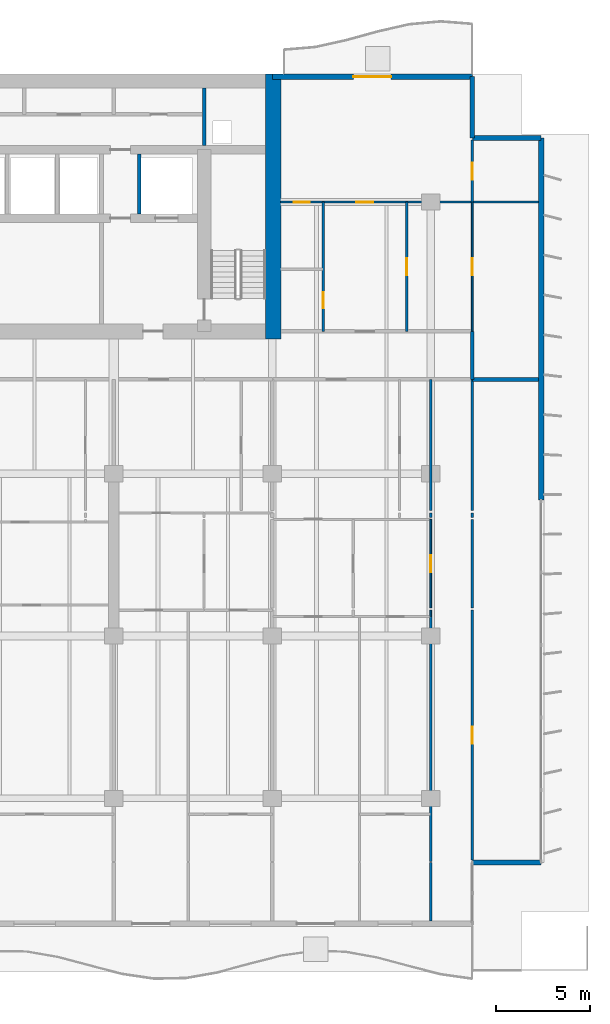
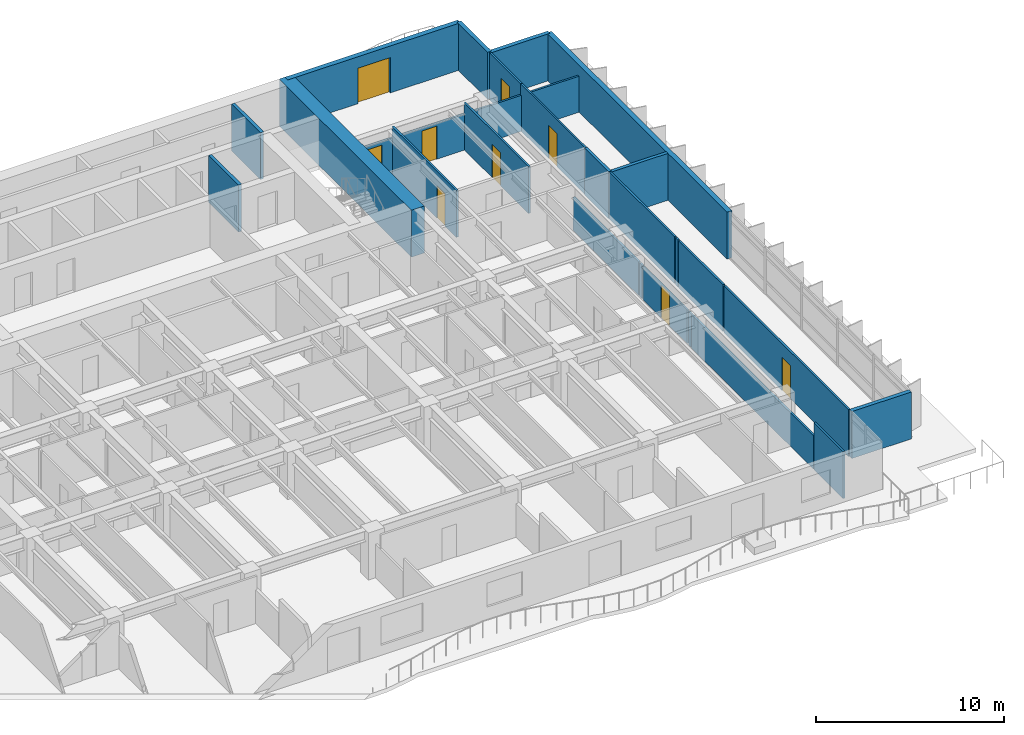
# One storey, part 12 of 17: 25 walls, 9 doors, 9 openings.
"""IFC4 building model written with IfcOpenShell, lengths in metres."""

from ifc_helpers import new_model, si_unit, direction, frame, frame_2d, origin, place, context, subcontext, project, spatial, rectangle, extrude, material, layer, layer_set, type_object, element, fill, save


model = new_model("IFC4")

# Units and contexts
model_context = context("Model", 3, precision=1e-05, world=origin(), true_north=direction((0.0, 1.0)))
body_context = subcontext(model_context, "Body", "Model", "MODEL_VIEW")
ifc_project = project(units=[si_unit("LENGTHUNIT", "METRE"), si_unit("AREAUNIT", "SQUARE_METRE"), si_unit("VOLUMEUNIT", "CUBIC_METRE"), si_unit("PLANEANGLEUNIT", "RADIAN"), si_unit("MASSUNIT", "GRAM", prefix="KILO")], contexts=[model_context])

# Site, building, storey
site_placement = place(None, origin())
site = spatial("IfcSite", under=ifc_project, at=site_placement, CompositionType="ELEMENT")
building_placement = place(site_placement, origin())
building = spatial("IfcBuilding", under=site, at=building_placement, Name="Caelmar Bay Residences", CompositionType="ELEMENT")
storey_placement = place(building_placement, frame((0.0, 0.0, 84.60009765625)))
storey = spatial("IfcBuildingStorey", under=building, at=storey_placement, Name="L22", CompositionType="ELEMENT", Elevation=84.60009765625)

# Walls
ifc_material_1 = material(Name="Concrete f'c 70 MPa (10,000 psi)", Category="concrete")
ifc_layer_1 = layer(ifc_material_1, 0.800048828125)
ifc_layer_set_1 = layer_set([ifc_layer_1], Name="Concrete f'c 70 MPa (10,000 psi)")
wall_type_1 = type_object("IfcWallType", Name="SW-COR-800", PredefinedType="SHEAR", material=ifc_layer_set_1)
wall_1_placement = place(storey_placement, frame((59.550048828125, 36.550048828125, 0.0), z_axis=(0.0, 0.0, 1.0), x_axis=(0.0, 1.0, 0.0)))
element("IfcWall", 1, at=wall_1_placement, inside=storey, type_object=wall_type_1, Name="L22 Rear Core East Shear Wall", PredefinedType="SHEAR", context=body_context, shape_type="SweptSolid", body=[
    extrude(rectangle(XDim=14.050048828125, YDim=0.800048828125, at=frame_2d((7.02490234375, 0.0))), origin(), (0.0, 0.0, 1.0), 3.0498046875),
])
ifc_material_2 = material(Name="Double-stud acoustic fire-rated gypsum partition 180 mm")
ifc_layer_2 = layer(ifc_material_2, 0.179931640625)
ifc_layer_set_2 = layer_set([ifc_layer_2], Name="Double-stud acoustic fire-rated gypsum partition 180 mm")
wall_type_2 = type_object("IfcWallType", Name="W-COR-200", PredefinedType="PARTITIONING", material=ifc_layer_set_2)
wall_2_placement = place(storey_placement, frame((70.10009765625, 34.405029296875, 0.0), z_axis=(0.0, 0.0, 1.0), x_axis=(0.0, 1.0, 0.0)))
element("IfcWall", 2, at=wall_2_placement, inside=storey, type_object=wall_type_2, Name="L22 Partition Wall V103", PredefinedType="PARTITIONING", context=body_context, shape_type="SweptSolid", body=[
    extrude(rectangle(XDim=2.544921875, YDim=0.179931640625, at=frame_2d((1.2724609375, 0.0))), origin(), (0.0, 0.0, 1.0), 3.0498046875),
])
ifc_material_3 = material(Name="Precast concrete f'c 40 MPa (6,000 psi)", Category="concrete")
ifc_layer_3 = layer(ifc_material_3, 0.25)
ifc_layer_set_3 = layer_set([ifc_layer_3], Name="Precast concrete f'c 40 MPa (6,000 psi)")
wall_type_3 = type_object("IfcWallType", Name="W-EXT-250", PredefinedType="ELEMENTEDWALL", material=ifc_layer_set_3)
wall_3_placement = place(storey_placement, frame((70.10009765625, 8.800048828125, 0.0), z_axis=(0.0, 0.0, 1.0), x_axis=(1.0, 0.0, 0.0)))
element("IfcWall", 3, at=wall_3_placement, inside=storey, type_object=wall_type_3, Name="L22 SE Notch Return Wall", PredefinedType="ELEMENTEDWALL", context=body_context, shape_type="SweptSolid", body=[
    extrude(rectangle(XDim=3.64990234375, YDim=0.25, at=frame_2d((1.824951171875, 0.0))), origin(), (0.0, 0.0, 1.0), 3.0498046875),
])
wall_4_placement = place(storey_placement, frame((70.10009765625, 50.449951171875, 0.0), z_axis=(0.0, 0.0, 1.0), x_axis=(0.0, -1.0, 0.0)))
element("IfcWall", 4, at=wall_4_placement, inside=storey, type_object=wall_type_3, Name="L22 NNE-V Notch Wall", PredefinedType="ELEMENTEDWALL", context=body_context, shape_type="SweptSolid", body=[
    extrude(rectangle(XDim=3.25, YDim=0.25, at=frame_2d((1.625, 0.0))), origin(), (0.0, 0.0, 1.0), 3.0498046875),
])
wall_5_placement = place(storey_placement, frame((70.10009765625, 47.199951171875, 0.0), z_axis=(0.0, 0.0, 1.0), x_axis=(1.0, 0.0, 0.0)))
element("IfcWall", 5, at=wall_5_placement, inside=storey, type_object=wall_type_3, Name="L22 NNE-H Notch Wall", PredefinedType="ELEMENTEDWALL", context=body_context, shape_type="SweptSolid", body=[
    extrude(rectangle(XDim=3.64990234375, YDim=0.25, at=frame_2d((1.824951171875, 0.0))), origin(), (0.0, 0.0, 1.0), 3.0498046875),
])
ifc_layer_4 = layer(ifc_material_3, 0.300048828125)
ifc_layer_set_4 = layer_set([ifc_layer_4], Name="Precast concrete f'c 40 MPa (6,000 psi)")
wall_type_4 = type_object("IfcWallType", Name="W-EXT-300", PredefinedType="STANDARD", material=ifc_layer_set_4)
wall_6_placement = place(storey_placement, frame((73.75, 47.199951171875, 0.0), z_axis=(0.0, 0.0, 1.0), x_axis=(0.0, -1.0, 0.0)))
element("IfcWall", 6, at=wall_6_placement, inside=storey, type_object=wall_type_4, Name="L22 East Rear Exterior Wall", PredefinedType="STANDARD", context=body_context, shape_type="SweptSolid", body=[
    extrude(rectangle(XDim=19.199951171875, YDim=0.300048828125, at=frame_2d((9.60009765625, 0.0))), origin(), (0.0, 0.0, 1.0), 3.0498046875),
])

# Wall, opening, door
wall_7_placement = place(storey_placement, frame((59.5, 50.449951171875, 0.0), z_axis=(0.0, 0.0, 1.0), x_axis=(1.0, 0.0, 0.0)))
wall_7 = element("IfcWall", 7, at=wall_7_placement, inside=storey, type_object=wall_type_4, Name="L22 North-East Wing Exterior Wall", PredefinedType="STANDARD", context=body_context, shape_type="SweptSolid", body=[
    extrude(rectangle(XDim=10.60009765625, YDim=0.300048828125, at=frame_2d((5.300048828125, 0.0))), origin(), (0.0, 0.0, 1.0), 3.0498046875),
])
opening_1_placement = place(wall_7_placement, frame((4.300048828125, 0.0, 0.0)))
opening_1 = element("IfcOpeningElement", 8, at=opening_1_placement, cuts=wall_7, Name="Opening L22-BDNE", PredefinedType="OPENING", context=body_context, shape_type="SweptSolid", body=[
    extrude(rectangle(XDim=2.0, YDim=2.300048828125, at=frame_2d((1.0, 1.14990234375))), frame((0.0, 0.159912109375, 0.0), z_axis=(0.0, -1.0, 0.0), x_axis=(1.0, 0.0, 0.0)), (0.0, 0.0, 1.0), 0.320068359375),
])
ifc_material_4 = material(Name="Anodised bronze thermally broken sliding glass door", Category="glass")
ifc_layer_5 = layer(ifc_material_4, 0.050048828125)
ifc_layer_set_5 = layer_set([ifc_layer_5], Name="Anodised bronze thermally broken sliding glass door")
door_type_1 = type_object("IfcDoorType", Name="D-BAL-2000", OperationType="DOUBLE_DOOR_SLIDING", PredefinedType="DOOR", material=ifc_layer_set_5)
door_1_placement = place(opening_1_placement, origin())
door_1 = element("IfcDoor", 9, at=door_1_placement, inside=storey, type_object=door_type_1, Name="L22 North-East Balcony Door", OperationType="DOUBLE_DOOR_SLIDING", OverallHeight=2.300048828125, OverallWidth=2.0, PredefinedType="DOOR", context=body_context, shape_type="SweptSolid", body=[
    extrude(rectangle(XDim=2.0, YDim=2.300048828125, at=frame_2d((1.0, 1.14990234375))), frame((0.0, 0.02490234375, 0.0), z_axis=(0.0, -1.0, 0.0), x_axis=(1.0, 0.0, 0.0)), (0.0, 0.0, 1.0), 0.050048828125),
])
fill(opening_1, door_1)

# Walls
ifc_material_5 = material(Name="Fire-rated masonry and gypsum shaftliner assembly 200 mm", Category="masonry")
ifc_layer_6 = layer(ifc_material_5, 0.199951171875)
ifc_layer_set_6 = layer_set([ifc_layer_6], Name="Fire-rated masonry and gypsum shaftliner assembly 200 mm")
wall_type_5 = type_object("IfcWallType", Name="W-FSAE-200", PredefinedType="PARTITIONING", material=ifc_layer_set_6)
wall_8_placement = place(storey_placement, frame((52.449951171875, 43.169921875, 0.0), z_axis=(0.0, 0.0, 1.0), x_axis=(0.0, 1.0, 0.0)))
element("IfcWall", 10, at=wall_8_placement, inside=storey, type_object=wall_type_5, Name="L22 Partition Wall V073", PredefinedType="PARTITIONING", context=body_context, shape_type="SweptSolid", body=[
    extrude(rectangle(XDim=3.18505859375, YDim=0.199951171875, at=frame_2d((1.592529296875, 0.0))), origin(), (0.0, 0.0, 1.0), 3.0498046875),
])
wall_9_placement = place(storey_placement, frame((55.89990234375, 46.794921875, 0.0), z_axis=(0.0, 0.0, 1.0), x_axis=(0.0, 1.0, 0.0)))
element("IfcWall", 11, at=wall_9_placement, inside=storey, type_object=wall_type_5, Name="L22 Partition Wall V078", PredefinedType="PARTITIONING", context=body_context, shape_type="SweptSolid", body=[
    extrude(rectangle(XDim=3.06005859375, YDim=0.199951171875, at=frame_2d((1.530029296875, 0.0))), origin(), (0.0, 0.0, 1.0), 3.0498046875),
])
ifc_material_6 = material(Name="Anodised bronze framed acoustic sliding study partition 100 mm")
ifc_layer_7 = layer(ifc_material_6, 0.10009765625)
ifc_layer_set_7 = layer_set([ifc_layer_7], Name="Anodised bronze framed acoustic sliding study partition 100 mm")
wall_type_6 = type_object("IfcWallType", Name="W-MOV-100", PredefinedType="MOVABLE", material=ifc_layer_set_7)
wall_10_placement = place(storey_placement, frame((67.89990234375, 21.8349609375, 0.0), z_axis=(0.0, 0.0, 1.0), x_axis=(0.0, 1.0, 0.0)))
element("IfcWall", 12, at=wall_10_placement, inside=storey, type_object=wall_type_6, Name="L22 Partition Wall V095", PredefinedType="MOVABLE", context=body_context, shape_type="SweptSolid", body=[
    extrude(rectangle(XDim=0.3349609375, YDim=0.10009765625, at=frame_2d((0.16748046875, 0.0))), origin(), (0.0, 0.0, 1.0), 2.173828125),
])

# Wall, opening, door
wall_11_placement = place(storey_placement, frame((67.89990234375, 22.2900390625, 0.0), z_axis=(0.0, 0.0, 1.0), x_axis=(0.0, 1.0, 0.0)))
wall_11 = element("IfcWall", 13, at=wall_11_placement, inside=storey, type_object=wall_type_6, Name="L22 Partition Wall V096", PredefinedType="MOVABLE", context=body_context, shape_type="SweptSolid", body=[
    extrude(rectangle(XDim=4.68994140625, YDim=0.10009765625, at=frame_2d((2.344970703125, 0.0))), origin(), (0.0, 0.0, 1.0), 2.173828125),
])
opening_2_placement = place(wall_11_placement, frame((1.89501953125, 0.0, 0.0)))
opening_2 = element("IfcOpeningElement", 14, at=opening_2_placement, cuts=wall_11, Name="Opening D-L22-168", PredefinedType="OPENING", context=body_context, shape_type="SweptSolid", body=[
    extrude(rectangle(XDim=0.89990234375, YDim=2.1240234375, at=frame_2d((0.449951171875, 1.06201171875))), frame((0.0, 0.06005859375, 0.0), z_axis=(0.0, -1.0, 0.0), x_axis=(1.0, 0.0, 0.0)), (0.0, 0.0, 1.0), 0.1201171875),
])
ifc_material_7 = material(Name="Solid walnut timber interior door leaf and frame", Category="wood")
ifc_layer_8 = layer(ifc_material_7, 0.050048828125)
ifc_layer_set_8 = layer_set([ifc_layer_8], Name="Solid walnut timber interior door leaf and frame")
door_type_2 = type_object("IfcDoorType", Name="D-ROOM-900", OperationType="NOTDEFINED", PredefinedType="DOOR", material=ifc_layer_set_8)
door_2_placement = place(opening_2_placement, origin())
door_2 = element("IfcDoor", 15, at=door_2_placement, inside=storey, type_object=door_type_2, Name="L22 Residence 06 East Apartment Hall Door", OperationType="SINGLE_SWING_LEFT", OverallHeight=2.1240234375, OverallWidth=0.89990234375, PredefinedType="DOOR", context=body_context, shape_type="SweptSolid", body=[
    extrude(rectangle(XDim=0.89990234375, YDim=2.1240234375, at=frame_2d((0.449951171875, 1.06201171875))), frame((0.0, 0.02490234375, 0.0), z_axis=(0.0, -1.0, 0.0), x_axis=(1.0, 0.0, 0.0)), (0.0, 0.0, 1.0), 0.050048828125),
])
fill(opening_2, door_2)

wall_12_placement = place(storey_placement, frame((70.10009765625, 36.955078125, 0.0), z_axis=(0.0, 0.0, 1.0), x_axis=(0.0, 1.0, 0.0)))
wall_12 = element("IfcWall", 16, at=wall_12_placement, inside=storey, type_object=wall_type_6, Name="L22 Partition Wall V104", PredefinedType="MOVABLE", context=body_context, shape_type="SweptSolid", body=[
    extrude(rectangle(XDim=6.844970703125, YDim=0.10009765625, at=frame_2d((3.42236328125, 0.0))), origin(), (0.0, 0.0, 1.0), 3.0498046875),
])
opening_3_placement = place(wall_12_placement, frame((2.972412109375, 0.0, 0.0)))
opening_3 = element("IfcOpeningElement", 17, at=opening_3_placement, cuts=wall_12, Name="Opening D-L22-183", PredefinedType="OPENING", context=body_context, shape_type="SweptSolid", body=[
    extrude(rectangle(XDim=0.89990234375, YDim=2.14990234375, at=frame_2d((0.449951171875, 1.074951171875))), frame((0.0, 0.06005859375, 0.0), z_axis=(0.0, -1.0, 0.0), x_axis=(1.0, 0.0, 0.0)), (0.0, 0.0, 1.0), 0.1201171875),
])
door_3_placement = place(opening_3_placement, origin())
door_3 = element("IfcDoor", 18, at=door_3_placement, inside=storey, type_object=door_type_2, Name="L22 Residence EA Sun Study Door", OperationType="SINGLE_SWING_RIGHT", OverallHeight=2.14990234375, OverallWidth=0.89990234375, PredefinedType="DOOR", context=body_context, shape_type="SweptSolid", body=[
    extrude(rectangle(XDim=0.89990234375, YDim=2.14990234375, at=frame_2d((0.449951171875, 1.074951171875))), frame((0.0, 0.02490234375, 0.0), z_axis=(0.0, -1.0, 0.0), x_axis=(1.0, 0.0, 0.0)), (0.0, 0.0, 1.0), 0.050048828125),
])
fill(opening_3, door_3)

ifc_material_8 = material(Name="Acoustic metal-stud gypsum partition 120 mm")
ifc_layer_9 = layer(ifc_material_8, 0.1201171875)
ifc_layer_set_9 = layer_set([ifc_layer_9], Name="Acoustic metal-stud gypsum partition 120 mm")
wall_type_7 = type_object("IfcWallType", Name="W-PRT-120", PredefinedType="PARTITIONING", material=ifc_layer_set_9)
wall_13_placement = place(storey_placement, frame((62.199951171875, 36.949951171875, 0.0), z_axis=(0.0, 0.0, 1.0), x_axis=(0.0, 1.0, 0.0)))
wall_13 = element("IfcWall", 19, at=wall_13_placement, inside=storey, type_object=wall_type_7, Name="L22 Partition Wall V085", PredefinedType="PARTITIONING", context=body_context, shape_type="SweptSolid", body=[
    extrude(rectangle(XDim=6.85009765625, YDim=0.1201171875, at=frame_2d((3.425048828125, 0.0))), origin(), (0.0, 0.0, 1.0), 3.0498046875),
])
opening_4_placement = place(wall_13_placement, frame((1.218994140625, 0.0, 0.0)))
opening_4 = element("IfcOpeningElement", 20, at=opening_4_placement, cuts=wall_13, Name="Opening D-L22-181", PredefinedType="OPENING", context=body_context, shape_type="SweptSolid", body=[
    extrude(rectangle(XDim=0.85009765625, YDim=2.10009765625, at=frame_2d((0.425048828125, 1.050048828125))), frame((0.0, 0.070068359375, 0.0), z_axis=(0.0, -1.0, 0.0), x_axis=(1.0, 0.0, 0.0)), (0.0, 0.0, 1.0), 0.14013671875),
])
ifc_layer_10 = layer(ifc_material_7, 0.050048828125)
ifc_layer_set_10 = layer_set([ifc_layer_10], Name="Solid walnut timber interior door leaf and frame")
door_type_3 = type_object("IfcDoorType", Name="D-BATH-850", OperationType="NOTDEFINED", PredefinedType="DOOR", material=ifc_layer_set_10)
door_4_placement = place(opening_4_placement, origin())
door_4 = element("IfcDoor", 21, at=door_4_placement, inside=storey, type_object=door_type_3, Name="L22 Residence EA Walk-In Closet Door", OperationType="SINGLE_SWING_RIGHT", OverallHeight=2.10009765625, OverallWidth=0.85009765625, PredefinedType="DOOR", context=body_context, shape_type="SweptSolid", body=[
    extrude(rectangle(XDim=0.85009765625, YDim=2.10009765625, at=frame_2d((0.425048828125, 1.050048828125))), frame((0.0, 0.02490234375, 0.0), z_axis=(0.0, -1.0, 0.0), x_axis=(1.0, 0.0, 0.0)), (0.0, 0.0, 1.0), 0.050048828125),
])
fill(opening_4, door_4)

wall_14_placement = place(storey_placement, frame((66.6240234375, 36.949951171875, 0.0), z_axis=(0.0, 0.0, 1.0), x_axis=(0.0, 1.0, 0.0)))
wall_14 = element("IfcWall", 22, at=wall_14_placement, inside=storey, type_object=wall_type_7, Name="L22 Partition Wall V092", PredefinedType="PARTITIONING", context=body_context, shape_type="SweptSolid", body=[
    extrude(rectangle(XDim=6.85009765625, YDim=0.1201171875, at=frame_2d((3.425048828125, 0.0))), origin(), (0.0, 0.0, 1.0), 3.0498046875),
])
opening_5_placement = place(wall_14_placement, frame((2.97509765625, 0.0, 0.0)))
opening_5 = element("IfcOpeningElement", 23, at=opening_5_placement, cuts=wall_14, Name="Opening D-L22-178", PredefinedType="OPENING", context=body_context, shape_type="SweptSolid", body=[
    extrude(rectangle(XDim=0.89990234375, YDim=2.14990234375, at=frame_2d((0.449951171875, 1.074951171875))), frame((0.0, 0.070068359375, 0.0), z_axis=(0.0, -1.0, 0.0), x_axis=(1.0, 0.0, 0.0)), (0.0, 0.0, 1.0), 0.14013671875),
])
door_5_placement = place(opening_5_placement, origin())
door_5 = element("IfcDoor", 24, at=door_5_placement, inside=storey, type_object=door_type_2, Name="L22 Residence EA Dining Room Door", OperationType="SINGLE_SWING_LEFT", OverallHeight=2.14990234375, OverallWidth=0.89990234375, PredefinedType="DOOR", context=body_context, shape_type="SweptSolid", body=[
    extrude(rectangle(XDim=0.89990234375, YDim=2.14990234375, at=frame_2d((0.449951171875, 1.074951171875))), frame((0.0, 0.02490234375, 0.0), z_axis=(0.0, -1.0, 0.0), x_axis=(1.0, 0.0, 0.0)), (0.0, 0.0, 1.0), 0.050048828125),
])
fill(opening_5, door_5)

# Walls
wall_15_placement = place(storey_placement, frame((67.89990234375, 5.695068359375, 0.0), z_axis=(0.0, 0.0, 1.0), x_axis=(0.0, 1.0, 0.0)))
element("IfcWall", 25, at=wall_15_placement, inside=storey, type_object=wall_type_7, Name="L22 Partition Wall V093", PredefinedType="PARTITIONING", context=body_context, shape_type="SweptSolid", body=[
    extrude(rectangle(XDim=3.10498046875, YDim=0.1201171875, at=frame_2d((1.552490234375, 0.0))), origin(), (0.0, 0.0, 1.0), 3.0498046875),
])
wall_16_placement = place(storey_placement, frame((67.89990234375, 8.840087890625, 0.0), z_axis=(0.0, 0.0, 1.0), x_axis=(0.0, 1.0, 0.0)))
element("IfcWall", 26, at=wall_16_placement, inside=storey, type_object=wall_type_7, Name="L22 Partition Wall V094", PredefinedType="PARTITIONING", context=body_context, shape_type="SweptSolid", body=[
    extrude(rectangle(XDim=12.989990234375, YDim=0.1201171875, at=frame_2d((6.4951171875, 0.0))), origin(), (0.0, 0.0, 1.0), 2.173828125),
])
wall_17_placement = place(storey_placement, frame((67.89990234375, 27.080078125, 0.0), z_axis=(0.0, 0.0, 1.0), x_axis=(0.0, 1.0, 0.0)))
element("IfcWall", 27, at=wall_17_placement, inside=storey, type_object=wall_type_7, Name="L22 Partition Wall V097", PredefinedType="PARTITIONING", context=body_context, shape_type="SweptSolid", body=[
    extrude(rectangle(XDim=0.239990234375, YDim=0.1201171875, at=frame_2d((0.1201171875, 0.0))), origin(), (0.0, 0.0, 1.0), 2.173828125),
])
wall_18_placement = place(storey_placement, frame((67.89990234375, 27.43994140625, 0.0), z_axis=(0.0, 0.0, 1.0), x_axis=(0.0, 1.0, 0.0)))
element("IfcWall", 28, at=wall_18_placement, inside=storey, type_object=wall_type_7, Name="L22 Partition Wall V098", PredefinedType="PARTITIONING", context=body_context, shape_type="SweptSolid", body=[
    extrude(rectangle(XDim=6.9599609375, YDim=0.1201171875, at=frame_2d((3.47998046875, 0.0))), origin(), (0.0, 0.0, 1.0), 2.173828125),
])

# Wall, opening, door
wall_19_placement = place(storey_placement, frame((70.10009765625, 8.919921875, 0.0), z_axis=(0.0, 0.0, 1.0), x_axis=(0.0, 1.0, 0.0)))
wall_19 = element("IfcWall", 29, at=wall_19_placement, inside=storey, type_object=wall_type_7, Name="L22 Partition Wall V099", PredefinedType="PARTITIONING", context=body_context, shape_type="SweptSolid", body=[
    extrude(rectangle(XDim=13.25, YDim=0.1201171875, at=frame_2d((6.625, 0.0))), origin(), (0.0, 0.0, 1.0), 3.0498046875),
])
opening_6_placement = place(wall_19_placement, frame((6.175048828125, 0.0, 0.0)))
opening_6 = element("IfcOpeningElement", 30, at=opening_6_placement, cuts=wall_19, Name="Opening D-L22-170", PredefinedType="OPENING", context=body_context, shape_type="SweptSolid", body=[
    extrude(rectangle(XDim=0.89990234375, YDim=2.14990234375, at=frame_2d((0.449951171875, 1.074951171875))), frame((0.0, 0.070068359375, 0.0), z_axis=(0.0, -1.0, 0.0), x_axis=(1.0, 0.0, 0.0)), (0.0, 0.0, 1.0), 0.14013671875),
])
door_6_placement = place(opening_6_placement, origin())
door_6 = element("IfcDoor", 31, at=door_6_placement, inside=storey, type_object=door_type_2, Name="L22 Residence 06 Penthouse East Salon Door", OperationType="SINGLE_SWING_LEFT", OverallHeight=2.14990234375, OverallWidth=0.89990234375, PredefinedType="DOOR", context=body_context, shape_type="SweptSolid", body=[
    extrude(rectangle(XDim=0.89990234375, YDim=2.14990234375, at=frame_2d((0.449951171875, 1.074951171875))), frame((0.0, 0.02490234375, 0.0), z_axis=(0.0, -1.0, 0.0), x_axis=(1.0, 0.0, 0.0)), (0.0, 0.0, 1.0), 0.050048828125),
])
fill(opening_6, door_6)

# Walls
wall_20_placement = place(storey_placement, frame((70.10009765625, 22.2900390625, 0.0), z_axis=(0.0, 0.0, 1.0), x_axis=(0.0, 1.0, 0.0)))
element("IfcWall", 32, at=wall_20_placement, inside=storey, type_object=wall_type_7, Name="L22 Partition Wall V100", PredefinedType="PARTITIONING", context=body_context, shape_type="SweptSolid", body=[
    extrude(rectangle(XDim=4.68994140625, YDim=0.1201171875, at=frame_2d((2.344970703125, 0.0))), origin(), (0.0, 0.0, 1.0), 3.0498046875),
])
wall_21_placement = place(storey_placement, frame((70.10009765625, 27.080078125, 0.0), z_axis=(0.0, 0.0, 1.0), x_axis=(0.0, 1.0, 0.0)))
element("IfcWall", 33, at=wall_21_placement, inside=storey, type_object=wall_type_7, Name="L22 Partition Wall V101", PredefinedType="PARTITIONING", context=body_context, shape_type="SweptSolid", body=[
    extrude(rectangle(XDim=0.239990234375, YDim=0.1201171875, at=frame_2d((0.1201171875, 0.0))), origin(), (0.0, 0.0, 1.0), 3.0498046875),
])
wall_22_placement = place(storey_placement, frame((70.10009765625, 27.43994140625, 0.0), z_axis=(0.0, 0.0, 1.0), x_axis=(0.0, 1.0, 0.0)))
element("IfcWall", 34, at=wall_22_placement, inside=storey, type_object=wall_type_7, Name="L22 Partition Wall V102", PredefinedType="PARTITIONING", context=body_context, shape_type="SweptSolid", body=[
    extrude(rectangle(XDim=6.9599609375, YDim=0.1201171875, at=frame_2d((3.47998046875, 0.0))), origin(), (0.0, 0.0, 1.0), 3.0498046875),
])

# Wall, opening, door
wall_23_placement = place(storey_placement, frame((70.10009765625, 43.804931640625, 0.0), z_axis=(0.0, 0.0, 1.0), x_axis=(0.0, 1.0, 0.0)))
wall_23 = element("IfcWall", 35, at=wall_23_placement, inside=storey, type_object=wall_type_7, Name="L22 Partition Wall V105", PredefinedType="PARTITIONING", context=body_context, shape_type="SweptSolid", body=[
    extrude(rectangle(XDim=3.275146484375, YDim=0.1201171875, at=frame_2d((1.6376953125, 0.0))), origin(), (0.0, 0.0, 1.0), 3.0498046875),
])
opening_7_placement = place(wall_23_placement, frame((1.1875, 0.0, 0.0)))
opening_7 = element("IfcOpeningElement", 36, at=opening_7_placement, cuts=wall_23, Name="Opening D-L22-184", PredefinedType="OPENING", context=body_context, shape_type="SweptSolid", body=[
    extrude(rectangle(XDim=0.89990234375, YDim=2.14990234375, at=frame_2d((0.449951171875, 1.074951171875))), frame((0.0, 0.070068359375, 0.0), z_axis=(0.0, -1.0, 0.0), x_axis=(1.0, 0.0, 0.0)), (0.0, 0.0, 1.0), 0.14013671875),
])
door_7_placement = place(opening_7_placement, origin())
door_7 = element("IfcDoor", 37, at=door_7_placement, inside=storey, type_object=door_type_2, Name="L22 Residence EA North Sitting Alcove Door", OperationType="SINGLE_SWING_LEFT", OverallHeight=2.14990234375, OverallWidth=0.89990234375, PredefinedType="DOOR", context=body_context, shape_type="SweptSolid", body=[
    extrude(rectangle(XDim=0.89990234375, YDim=2.14990234375, at=frame_2d((0.449951171875, 1.074951171875))), frame((0.0, 0.02490234375, 0.0), z_axis=(0.0, -1.0, 0.0), x_axis=(1.0, 0.0, 0.0)), (0.0, 0.0, 1.0), 0.050048828125),
])
fill(opening_7, door_7)

# Wall, openings, doors
wall_24_placement = place(storey_placement, frame((59.945068359375, 43.800048828125, 0.0), z_axis=(0.0, 0.0, 1.0), x_axis=(1.0, 0.0, 0.0)))
wall_24 = element("IfcWall", 38, at=wall_24_placement, inside=storey, type_object=wall_type_7, Name="L22 Partition Wall H141", PredefinedType="PARTITIONING", context=body_context, shape_type="SweptSolid", body=[
    extrude(rectangle(XDim=13.659912109375, YDim=0.1201171875, at=frame_2d((6.830078125, 0.0))), origin(), (0.0, 0.0, 1.0), 2.3388671875),
])
opening_8_placement = place(wall_24_placement, frame((4.01708984375, 0.0, 0.0)))
opening_8 = element("IfcOpeningElement", 39, at=opening_8_placement, cuts=wall_24, Name="Opening D-L22-180", PredefinedType="OPENING", context=body_context, shape_type="SweptSolid", body=[
    extrude(rectangle(XDim=0.89990234375, YDim=2.14990234375, at=frame_2d((0.449951171875, 1.074951171875))), frame((0.0, 0.070068359375, 0.0), z_axis=(0.0, -1.0, 0.0), x_axis=(1.0, 0.0, 0.0)), (0.0, 0.0, 1.0), 0.14013671875),
])
opening_9_placement = place(wall_24_placement, frame((0.702392578125, 0.0, 0.0)))
opening_9 = element("IfcOpeningElement", 40, at=opening_9_placement, cuts=wall_24, Name="Opening D-L22-182", PredefinedType="OPENING", context=body_context, shape_type="SweptSolid", body=[
    extrude(rectangle(XDim=0.85009765625, YDim=2.10009765625, at=frame_2d((0.425048828125, 1.050048828125))), frame((0.0, 0.070068359375, 0.0), z_axis=(0.0, -1.0, 0.0), x_axis=(1.0, 0.0, 0.0)), (0.0, 0.0, 1.0), 0.14013671875),
])
door_8_placement = place(opening_9_placement, origin())
door_8 = element("IfcDoor", 41, at=door_8_placement, inside=storey, type_object=door_type_3, Name="L22 Residence EA Bathroom Door", OperationType="SINGLE_SWING_LEFT", OverallHeight=2.10009765625, OverallWidth=0.85009765625, PredefinedType="DOOR", context=body_context, shape_type="SweptSolid", body=[
    extrude(rectangle(XDim=0.85009765625, YDim=2.10009765625, at=frame_2d((0.425048828125, 1.050048828125))), frame((0.0, 0.02490234375, 0.0), z_axis=(0.0, -1.0, 0.0), x_axis=(1.0, 0.0, 0.0)), (0.0, 0.0, 1.0), 0.050048828125),
])
fill(opening_9, door_8)
door_9_placement = place(opening_8_placement, origin())
door_9 = element("IfcDoor", 42, at=door_9_placement, inside=storey, type_object=door_type_2, Name="L22 Residence EA Studio Living and Sleeping Room Door", OperationType="SINGLE_SWING_LEFT", OverallHeight=2.14990234375, OverallWidth=0.89990234375, PredefinedType="DOOR", context=body_context, shape_type="SweptSolid", body=[
    extrude(rectangle(XDim=0.89990234375, YDim=2.14990234375, at=frame_2d((0.449951171875, 1.074951171875))), frame((0.0, 0.02490234375, 0.0), z_axis=(0.0, -1.0, 0.0), x_axis=(1.0, 0.0, 0.0)), (0.0, 0.0, 1.0), 0.050048828125),
])
fill(opening_8, door_9)

# Wall
ifc_material_9 = material(Name="Acoustic twin-stud fire-rated inter-tenancy partition 200 mm")
ifc_layer_11 = layer(ifc_material_9, 0.199951171875)
ifc_layer_set_11 = layer_set([ifc_layer_11], Name="Acoustic twin-stud fire-rated inter-tenancy partition 200 mm")
wall_type_8 = type_object("IfcWallType", Name="W-PTY-200", PredefinedType="PARTITIONING", material=ifc_layer_set_11)
wall_25_placement = place(storey_placement, frame((70.10498046875, 34.39990234375, 0.0), z_axis=(0.0, 0.0, 1.0), x_axis=(1.0, 0.0, 0.0)))
element("IfcWall", 43, at=wall_25_placement, inside=storey, type_object=wall_type_8, Name="L22 Partition Wall H135", PredefinedType="PARTITIONING", context=body_context, shape_type="SweptSolid", body=[
    extrude(rectangle(XDim=3.5, YDim=0.199951171875, at=frame_2d((1.75, 0.0))), origin(), (0.0, 0.0, 1.0), 3.0498046875),
])

save(model, "model.ifc")
